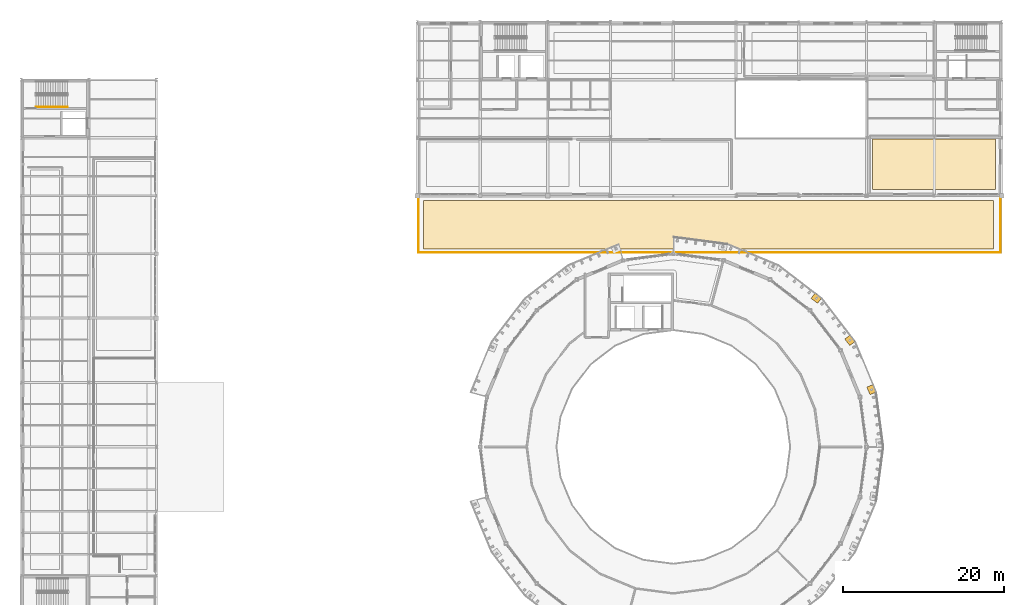
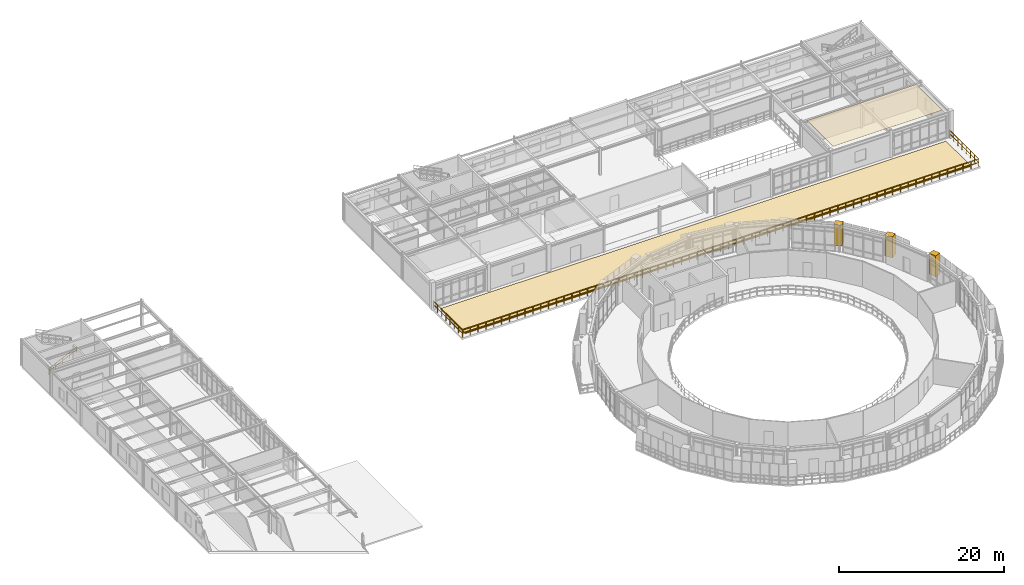
# One storey, part 55 of 58: 3 shading devices, 2 coverings, 2 railings.
"""IFC4 building model written with IfcOpenShell, lengths in metres."""

from ifc_helpers import new_model, si_unit, derived_unit, direction, frame, origin, origin_2d, place, context, subcontext, project, spatial, polyline, rectangle, circle, outline, extrude, material, layer, layer_set, type_object, element, save


model = new_model("IFC4")

# Units and contexts
model_context = context("Model", 3, precision=1e-05, world=origin(), true_north=direction((0.0, 1.0)))
body_context = subcontext(model_context, "Body", "Model", "MODEL_VIEW")
ifc_project = project(units=[si_unit("LENGTHUNIT", "METRE"), si_unit("AREAUNIT", "SQUARE_METRE"), si_unit("VOLUMEUNIT", "CUBIC_METRE"), si_unit("PLANEANGLEUNIT", "RADIAN"), si_unit("MASSUNIT", "GRAM", prefix="KILO"), derived_unit("THERMALTRANSMITTANCEUNIT", [(si_unit("POWERUNIT", "WATT"), 1), (si_unit("AREAUNIT", "SQUARE_METRE"), -1), (si_unit("THERMODYNAMICTEMPERATUREUNIT", "KELVIN"), -1)])], contexts=[model_context])

# Site, building, storey
site_placement = place(None, origin())
site = spatial("IfcSite", under=ifc_project, at=site_placement, CompositionType="ELEMENT")
building_placement = place(site_placement, origin())
building = spatial("IfcBuilding", under=site, at=building_placement, Name="Yasenodar Specialist Clinic", CompositionType="ELEMENT")
storey_placement = place(building_placement, frame((0.0, 0.0, 17.25)))
storey = spatial("IfcBuildingStorey", under=building, at=storey_placement, Name="L04", CompositionType="ELEMENT", Elevation=17.25)

# Coverings
ifc_material_1 = material(Name="Hygienic Acoustic Mineral-Fibre Ceiling")
ifc_layer_1 = layer(ifc_material_1, 0.02490234375)
ifc_layer_set_1 = layer_set([ifc_layer_1], Name="Hygienic Acoustic Mineral-Fibre Ceiling")
covering_type_1 = type_object("IfcCoveringType", Name="COV-CEIL-AC", PredefinedType="CEILING", material=ifc_layer_set_1)
covering_1_placement = place(storey_placement, frame((0.0, 0.0, 3.764892578125)))
element("IfcCovering", 1, at=covering_1_placement, inside=storey, type_object=covering_type_1, Name="L04 Bioinformatics Analysis Room Acoustic Ceiling", PredefinedType="CEILING", context=body_context, shape_type="SweptSolid", body=[
    extrude(outline(polyline([(121.050048828125, 90.75), (105.75, 90.75), (105.75, 97.050048828125), (121.050048828125, 97.050048828125), (121.050048828125, 90.75)])), origin(), (0.0, 0.0, 1.0), 0.025146484375),
])
ifc_material_2 = material(Name="Vegetated Sedum and Substrate Roof Covering")
ifc_layer_2 = layer(ifc_material_2, 0.1201171875)
ifc_layer_set_2 = layer_set([ifc_layer_2], Name="Vegetated Sedum and Substrate Roof Covering")
covering_type_2 = type_object("IfcCoveringType", Name="COV-ROOF-SEDUM", PredefinedType="ROOFING", material=ifc_layer_set_2)
covering_2_placement = place(storey_placement, origin())
element("IfcCovering", 2, at=covering_2_placement, inside=storey, type_object=covering_type_2, Name="V5 Step-1 Sedum Terrace Covering", PredefinedType="ROOFING", context=body_context, shape_type="SweptSolid", body=[
    extrude(outline(polyline([(50.0, 83.39990234375), (120.800048828125, 83.39990234375), (120.800048828125, 89.39990234375), (50.0, 89.39990234375), (50.0, 83.39990234375)])), origin(), (0.0, 0.0, 1.0), 0.1201171875),
])

# Railings
ifc_material_3 = material(Name="Steel S355 Painted Guardrail", Category="steel")
railing_type_1 = type_object("IfcRailingType", Name="RL-GRD-1120", PredefinedType="GUARDRAIL", material=ifc_material_3)
railing_1_placement = place(storey_placement, frame((49.35009765625, 90.0, 0.0)))
element("IfcRailing", 3, at=railing_1_placement, inside=storey, type_object=railing_type_1, Name="L04 V5 Step-1 Terrace Perimeter Guardrail", PredefinedType="GUARDRAIL", context=body_context, shape_type="SweptSolid", body=[
    extrude(circle(Radius=0.02392578125, at=origin_2d()), frame((0.0, 0.0, 1.09619140625), z_axis=(0.0, -1.0, 0.0), x_axis=(1.0, 0.0, 0.0)), (0.0, 0.0, 1.0), 7.050048828125),
    extrude(circle(Radius=0.02392578125, at=origin_2d()), frame((0.0, 0.0, 0.58251953125), z_axis=(0.0, -1.0, 0.0), x_axis=(1.0, 0.0, 0.0)), (0.0, 0.0, 1.0), 7.050048828125),
    extrude(circle(Radius=0.02392578125, at=origin_2d()), frame((0.0, -7.050048828125, 1.09619140625), z_axis=(1.0, 0.0, 0.0), x_axis=(0.0, 1.0, 0.0)), (0.0, 0.0, 1.0), 72.2998046875),
    extrude(circle(Radius=0.02392578125, at=origin_2d()), frame((0.0, -7.050048828125, 0.58251953125), z_axis=(1.0, 0.0, 0.0), x_axis=(0.0, 1.0, 0.0)), (0.0, 0.0, 1.0), 72.2998046875),
    extrude(circle(Radius=0.02392578125, at=origin_2d()), frame((72.2998046875, -7.050048828125, 1.09619140625), z_axis=(0.0, 1.0, 0.0), x_axis=(-1.0, 0.0, 0.0)), (0.0, 0.0, 1.0), 7.050048828125),
    extrude(circle(Radius=0.02392578125, at=origin_2d()), frame((72.2998046875, -7.050048828125, 0.58251953125), z_axis=(0.0, 1.0, 0.0), x_axis=(-1.0, 0.0, 0.0)), (0.0, 0.0, 1.0), 7.050048828125),
    extrude(circle(Radius=0.02099609375, at=origin_2d()), origin(), (0.0, 0.0, 1.0), 1.072021484375),
    extrude(circle(Radius=0.02099609375, at=origin_2d()), frame((0.0, -1.007080078125, 0.0)), (0.0, 0.0, 1.0), 1.072021484375),
    extrude(circle(Radius=0.02099609375, at=origin_2d()), frame((0.0, -2.014404296875, 0.0)), (0.0, 0.0, 1.0), 1.072021484375),
    extrude(circle(Radius=0.02099609375, at=origin_2d()), frame((0.0, -3.021484375, 0.0)), (0.0, 0.0, 1.0), 1.072021484375),
    extrude(circle(Radius=0.02099609375, at=origin_2d()), frame((0.0, -4.028564453125, 0.0)), (0.0, 0.0, 1.0), 1.072021484375),
    extrude(circle(Radius=0.02099609375, at=origin_2d()), frame((0.0, -5.03564453125, 0.0)), (0.0, 0.0, 1.0), 1.072021484375),
    extrude(circle(Radius=0.02099609375, at=origin_2d()), frame((0.0, -6.04296875, 0.0)), (0.0, 0.0, 1.0), 1.072021484375),
    extrude(circle(Radius=0.02099609375, at=origin_2d()), frame((0.0, -7.050048828125, 0.0)), (0.0, 0.0, 1.0), 1.072021484375),
    extrude(circle(Radius=0.02099609375, at=origin_2d()), frame((1.095458984375, -7.050048828125, 0.0)), (0.0, 0.0, 1.0), 1.072021484375),
    extrude(circle(Radius=0.02099609375, at=origin_2d()), frame((2.19091796875, -7.050048828125, 0.0)), (0.0, 0.0, 1.0), 1.072021484375),
    extrude(circle(Radius=0.02099609375, at=origin_2d()), frame((3.286376953125, -7.050048828125, 0.0)), (0.0, 0.0, 1.0), 1.072021484375),
    extrude(circle(Radius=0.02099609375, at=origin_2d()), frame((4.3818359375, -7.050048828125, 0.0)), (0.0, 0.0, 1.0), 1.072021484375),
    extrude(circle(Radius=0.02099609375, at=origin_2d()), frame((5.477294921875, -7.050048828125, 0.0)), (0.0, 0.0, 1.0), 1.072021484375),
    extrude(circle(Radius=0.02099609375, at=origin_2d()), frame((6.57275390625, -7.050048828125, 0.0)), (0.0, 0.0, 1.0), 1.072021484375),
    extrude(circle(Radius=0.02099609375, at=origin_2d()), frame((7.668212890625, -7.050048828125, 0.0)), (0.0, 0.0, 1.0), 1.072021484375),
    extrude(circle(Radius=0.02099609375, at=origin_2d()), frame((8.763671875, -7.050048828125, 0.0)), (0.0, 0.0, 1.0), 1.072021484375),
    extrude(circle(Radius=0.02099609375, at=origin_2d()), frame((9.859130859375, -7.050048828125, 0.0)), (0.0, 0.0, 1.0), 1.072021484375),
    extrude(circle(Radius=0.02099609375, at=origin_2d()), frame((10.95458984375, -7.050048828125, 0.0)), (0.0, 0.0, 1.0), 1.072021484375),
    extrude(circle(Radius=0.02099609375, at=origin_2d()), frame((12.050048828125, -7.050048828125, 0.0)), (0.0, 0.0, 1.0), 1.072021484375),
    extrude(circle(Radius=0.02099609375, at=origin_2d()), frame((13.1455078125, -7.050048828125, 0.0)), (0.0, 0.0, 1.0), 1.072021484375),
    extrude(circle(Radius=0.02099609375, at=origin_2d()), frame((14.240966796875, -7.050048828125, 0.0)), (0.0, 0.0, 1.0), 1.072021484375),
    extrude(circle(Radius=0.02099609375, at=origin_2d()), frame((15.33642578125, -7.050048828125, 0.0)), (0.0, 0.0, 1.0), 1.072021484375),
    extrude(circle(Radius=0.02099609375, at=origin_2d()), frame((16.431884765625, -7.050048828125, 0.0)), (0.0, 0.0, 1.0), 1.072021484375),
    extrude(circle(Radius=0.02099609375, at=origin_2d()), frame((17.52734375, -7.050048828125, 0.0)), (0.0, 0.0, 1.0), 1.072021484375),
    extrude(circle(Radius=0.02099609375, at=origin_2d()), frame((18.62255859375, -7.050048828125, 0.0)), (0.0, 0.0, 1.0), 1.072021484375),
    extrude(circle(Radius=0.02099609375, at=origin_2d()), frame((19.718017578125, -7.050048828125, 0.0)), (0.0, 0.0, 1.0), 1.072021484375),
    extrude(circle(Radius=0.02099609375, at=origin_2d()), frame((20.8134765625, -7.050048828125, 0.0)), (0.0, 0.0, 1.0), 1.072021484375),
    extrude(circle(Radius=0.02099609375, at=origin_2d()), frame((21.908935546875, -7.050048828125, 0.0)), (0.0, 0.0, 1.0), 1.072021484375),
    extrude(circle(Radius=0.02099609375, at=origin_2d()), frame((23.00439453125, -7.050048828125, 0.0)), (0.0, 0.0, 1.0), 1.072021484375),
    extrude(circle(Radius=0.02099609375, at=origin_2d()), frame((24.099853515625, -7.050048828125, 0.0)), (0.0, 0.0, 1.0), 1.072021484375),
    extrude(circle(Radius=0.02099609375, at=origin_2d()), frame((25.1953125, -7.050048828125, 0.0)), (0.0, 0.0, 1.0), 1.072021484375),
    extrude(circle(Radius=0.02099609375, at=origin_2d()), frame((26.290771484375, -7.050048828125, 0.0)), (0.0, 0.0, 1.0), 1.072021484375),
    extrude(circle(Radius=0.02099609375, at=origin_2d()), frame((27.38623046875, -7.050048828125, 0.0)), (0.0, 0.0, 1.0), 1.072021484375),
    extrude(circle(Radius=0.02099609375, at=origin_2d()), frame((28.481689453125, -7.050048828125, 0.0)), (0.0, 0.0, 1.0), 1.072021484375),
    extrude(circle(Radius=0.02099609375, at=origin_2d()), frame((29.5771484375, -7.050048828125, 0.0)), (0.0, 0.0, 1.0), 1.072021484375),
    extrude(circle(Radius=0.02099609375, at=origin_2d()), frame((30.672607421875, -7.050048828125, 0.0)), (0.0, 0.0, 1.0), 1.072021484375),
    extrude(circle(Radius=0.02099609375, at=origin_2d()), frame((31.76806640625, -7.050048828125, 0.0)), (0.0, 0.0, 1.0), 1.072021484375),
    extrude(circle(Radius=0.02099609375, at=origin_2d()), frame((32.863525390625, -7.050048828125, 0.0)), (0.0, 0.0, 1.0), 1.072021484375),
    extrude(circle(Radius=0.02099609375, at=origin_2d()), frame((33.958984375, -7.050048828125, 0.0)), (0.0, 0.0, 1.0), 1.072021484375),
    extrude(circle(Radius=0.02099609375, at=origin_2d()), frame((35.054443359375, -7.050048828125, 0.0)), (0.0, 0.0, 1.0), 1.072021484375),
    extrude(circle(Radius=0.02099609375, at=origin_2d()), frame((36.14990234375, -7.050048828125, 0.0)), (0.0, 0.0, 1.0), 1.072021484375),
    extrude(circle(Radius=0.02099609375, at=origin_2d()), frame((37.245361328125, -7.050048828125, 0.0)), (0.0, 0.0, 1.0), 1.072021484375),
    extrude(circle(Radius=0.02099609375, at=origin_2d()), frame((38.3408203125, -7.050048828125, 0.0)), (0.0, 0.0, 1.0), 1.072021484375),
    extrude(circle(Radius=0.02099609375, at=origin_2d()), frame((39.436279296875, -7.050048828125, 0.0)), (0.0, 0.0, 1.0), 1.072021484375),
    extrude(circle(Radius=0.02099609375, at=origin_2d()), frame((40.53173828125, -7.050048828125, 0.0)), (0.0, 0.0, 1.0), 1.072021484375),
    extrude(circle(Radius=0.02099609375, at=origin_2d()), frame((41.627197265625, -7.050048828125, 0.0)), (0.0, 0.0, 1.0), 1.072021484375),
    extrude(circle(Radius=0.02099609375, at=origin_2d()), frame((42.72265625, -7.050048828125, 0.0)), (0.0, 0.0, 1.0), 1.072021484375),
    extrude(circle(Radius=0.02099609375, at=origin_2d()), frame((43.818115234375, -7.050048828125, 0.0)), (0.0, 0.0, 1.0), 1.072021484375),
    extrude(circle(Radius=0.02099609375, at=origin_2d()), frame((44.91357421875, -7.050048828125, 0.0)), (0.0, 0.0, 1.0), 1.072021484375),
    extrude(circle(Radius=0.02099609375, at=origin_2d()), frame((46.009033203125, -7.050048828125, 0.0)), (0.0, 0.0, 1.0), 1.072021484375),
    extrude(circle(Radius=0.02099609375, at=origin_2d()), frame((47.1044921875, -7.050048828125, 0.0)), (0.0, 0.0, 1.0), 1.072021484375),
    extrude(circle(Radius=0.02099609375, at=origin_2d()), frame((48.199951171875, -7.050048828125, 0.0)), (0.0, 0.0, 1.0), 1.072021484375),
    extrude(circle(Radius=0.02099609375, at=origin_2d()), frame((49.29541015625, -7.050048828125, 0.0)), (0.0, 0.0, 1.0), 1.072021484375),
    extrude(circle(Radius=0.02099609375, at=origin_2d()), frame((50.390869140625, -7.050048828125, 0.0)), (0.0, 0.0, 1.0), 1.072021484375),
    extrude(circle(Radius=0.02099609375, at=origin_2d()), frame((51.486328125, -7.050048828125, 0.0)), (0.0, 0.0, 1.0), 1.072021484375),
    extrude(circle(Radius=0.02099609375, at=origin_2d()), frame((52.581787109375, -7.050048828125, 0.0)), (0.0, 0.0, 1.0), 1.072021484375),
    extrude(circle(Radius=0.02099609375, at=origin_2d()), frame((53.67724609375, -7.050048828125, 0.0)), (0.0, 0.0, 1.0), 1.072021484375),
    extrude(circle(Radius=0.02099609375, at=origin_2d()), frame((54.7724609375, -7.050048828125, 0.0)), (0.0, 0.0, 1.0), 1.072021484375),
    extrude(circle(Radius=0.02099609375, at=origin_2d()), frame((55.867919921875, -7.050048828125, 0.0)), (0.0, 0.0, 1.0), 1.072021484375),
    extrude(circle(Radius=0.02099609375, at=origin_2d()), frame((56.96337890625, -7.050048828125, 0.0)), (0.0, 0.0, 1.0), 1.072021484375),
    extrude(circle(Radius=0.02099609375, at=origin_2d()), frame((58.058837890625, -7.050048828125, 0.0)), (0.0, 0.0, 1.0), 1.072021484375),
    extrude(circle(Radius=0.02099609375, at=origin_2d()), frame((59.154296875, -7.050048828125, 0.0)), (0.0, 0.0, 1.0), 1.072021484375),
    extrude(circle(Radius=0.02099609375, at=origin_2d()), frame((60.249755859375, -7.050048828125, 0.0)), (0.0, 0.0, 1.0), 1.072021484375),
    extrude(circle(Radius=0.02099609375, at=origin_2d()), frame((61.34521484375, -7.050048828125, 0.0)), (0.0, 0.0, 1.0), 1.072021484375),
    extrude(circle(Radius=0.02099609375, at=origin_2d()), frame((62.440673828125, -7.050048828125, 0.0)), (0.0, 0.0, 1.0), 1.072021484375),
    extrude(circle(Radius=0.02099609375, at=origin_2d()), frame((63.5361328125, -7.050048828125, 0.0)), (0.0, 0.0, 1.0), 1.072021484375),
    extrude(circle(Radius=0.02099609375, at=origin_2d()), frame((64.631591796875, -7.050048828125, 0.0)), (0.0, 0.0, 1.0), 1.072021484375),
    extrude(circle(Radius=0.02099609375, at=origin_2d()), frame((65.72705078125, -7.050048828125, 0.0)), (0.0, 0.0, 1.0), 1.072021484375),
    extrude(circle(Radius=0.02099609375, at=origin_2d()), frame((66.822509765625, -7.050048828125, 0.0)), (0.0, 0.0, 1.0), 1.072021484375),
    extrude(circle(Radius=0.02099609375, at=origin_2d()), frame((67.91796875, -7.050048828125, 0.0)), (0.0, 0.0, 1.0), 1.072021484375),
    extrude(circle(Radius=0.02099609375, at=origin_2d()), frame((69.013427734375, -7.050048828125, 0.0)), (0.0, 0.0, 1.0), 1.072021484375),
    extrude(circle(Radius=0.02099609375, at=origin_2d()), frame((70.10888671875, -7.050048828125, 0.0)), (0.0, 0.0, 1.0), 1.072021484375),
    extrude(circle(Radius=0.02099609375, at=origin_2d()), frame((71.204345703125, -7.050048828125, 0.0)), (0.0, 0.0, 1.0), 1.072021484375),
    extrude(circle(Radius=0.02099609375, at=origin_2d()), frame((72.2998046875, -7.050048828125, 0.0)), (0.0, 0.0, 1.0), 1.072021484375),
    extrude(circle(Radius=0.02099609375, at=origin_2d()), frame((72.2998046875, -6.04296875, 0.0)), (0.0, 0.0, 1.0), 1.072021484375),
    extrude(circle(Radius=0.02099609375, at=origin_2d()), frame((72.2998046875, -5.03564453125, 0.0)), (0.0, 0.0, 1.0), 1.072021484375),
    extrude(circle(Radius=0.02099609375, at=origin_2d()), frame((72.2998046875, -4.028564453125, 0.0)), (0.0, 0.0, 1.0), 1.072021484375),
    extrude(circle(Radius=0.02099609375, at=origin_2d()), frame((72.2998046875, -3.021484375, 0.0)), (0.0, 0.0, 1.0), 1.072021484375),
    extrude(circle(Radius=0.02099609375, at=origin_2d()), frame((72.2998046875, -2.014404296875, 0.0)), (0.0, 0.0, 1.0), 1.072021484375),
    extrude(circle(Radius=0.02099609375, at=origin_2d()), frame((72.2998046875, -1.007080078125, 0.0)), (0.0, 0.0, 1.0), 1.072021484375),
    extrude(circle(Radius=0.02099609375, at=origin_2d()), frame((72.2998046875, 0.0, 0.0)), (0.0, 0.0, 1.0), 1.072021484375),
])
ifc_material_4 = material(Name="Brushed Stainless Steel Handrail", Category="steel")
railing_type_2 = type_object("IfcRailingType", Name="RL-ST-HND", PredefinedType="HANDRAIL", material=ifc_material_4)
railing_2_placement = place(storey_placement, frame((1.840087890625, 101.010009765625, 0.14453125)))
element("IfcRailing", 4, at=railing_2_placement, inside=storey, type_object=railing_type_2, Name="L04 ST-02 stair handrail 1", PredefinedType="HANDRAIL", context=body_context, shape_type="SweptSolid", body=[
    extrude(circle(Radius=0.02392578125, at=origin_2d()), frame((0.0, 0.0, 0.8759765625), z_axis=(0.900763166376, 0.0, 0.434310623978), x_axis=(0.0, 1.0, 0.0)), (0.0, 0.0, 1.0), 4.32958984375),
    extrude(circle(Radius=0.02392578125, at=origin_2d()), frame((0.0, 0.0, 0.468017578125), z_axis=(0.900763166376, 0.0, 0.434310623978), x_axis=(0.0, 1.0, 0.0)), (0.0, 0.0, 1.0), 4.32958984375),
    extrude(circle(Radius=0.02099609375, at=origin_2d()), origin(), (0.0, 0.0, 1.0), 0.851806640625),
    extrude(circle(Radius=0.02099609375, at=origin_2d()), frame((0.97509765625, 0.0, 0.47021484375)), (0.0, 0.0, 1.0), 0.851806640625),
    extrude(circle(Radius=0.02099609375, at=origin_2d()), frame((1.949951171875, 0.0, 0.940185546875)), (0.0, 0.0, 1.0), 0.851806640625),
    extrude(circle(Radius=0.02099609375, at=origin_2d()), frame((2.9248046875, 0.0, 1.41015625)), (0.0, 0.0, 1.0), 0.851806640625),
    extrude(circle(Radius=0.02099609375, at=origin_2d()), frame((3.89990234375, 0.0, 1.88037109375)), (0.0, 0.0, 1.0), 0.851806640625),
])

# Shading devices
ifc_material_5 = material(Name="Thermally Modified Larch and Bronze Girih Jali Shutter")
shading_device_type = type_object("IfcShadingDeviceType", Name="SHD-JALI-850", PredefinedType="SHUTTER", material=ifc_material_5)
for number, where, z_axis, x_axis, name in (
    (5, (105.627197265625, 65.916259765625, -0.005126953125), (0.0, 0.0, 1.0), (-0.382686667195, 0.923878192594, 0.0), "L04 Mughal Girih Jali Sliding Shutter Frame 0337"),
    (6, (102.9462890625, 72.0478515625, -0.005126953125), (0.0, 0.0, 1.0), (-0.608764217148, 0.793351200869, 0.0), "L04 Mughal Girih Jali Sliding Shutter Frame 0340"),
    (7, (98.76953125, 77.276611328125, -0.005126953125), (0.0, 0.0, 1.0), (-0.793351200869, 0.608764217148, 0.0), "L04 Mughal Girih Jali Sliding Shutter Frame 0346"),
):
    element("IfcShadingDevice", number, at=place(storey_placement, frame(where, z_axis=z_axis, x_axis=x_axis)), inside=storey, type_object=shading_device_type, Name=name, PredefinedType="SHUTTER", context=body_context, shape_type="SweptSolid", body=[
        extrude(rectangle(XDim=1.02001953125, YDim=0.85009765625, at=origin_2d()), origin(), (0.0, 0.0, 1.0), 3.10009765625),
    ])

save(model, "model.ifc")
